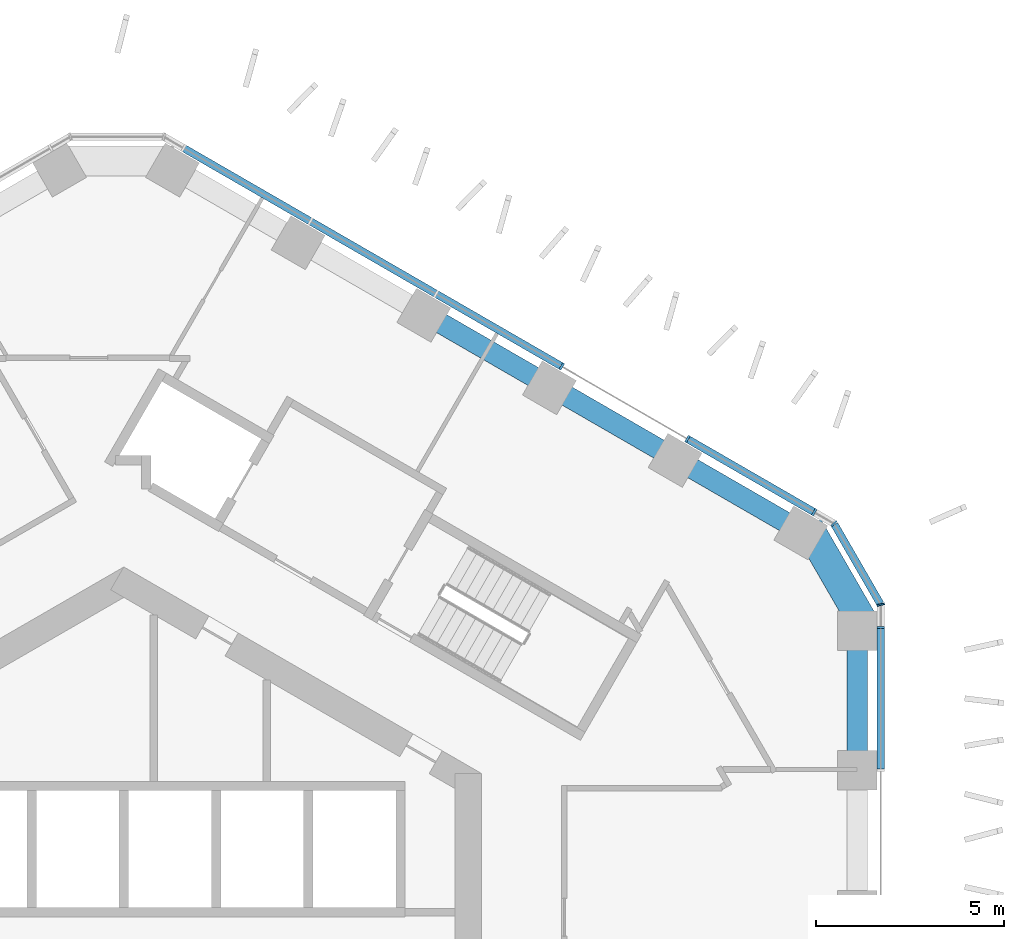
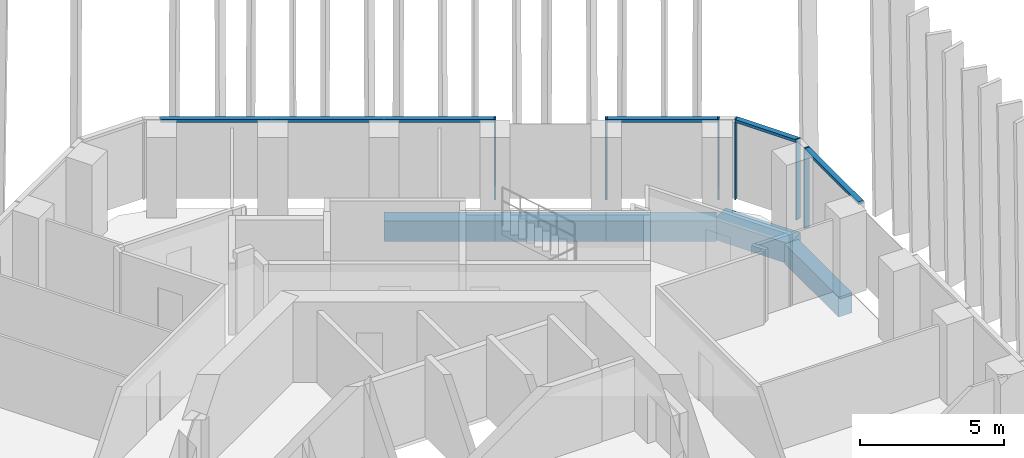
# One storey, part 6 of 19: 10 members, 5 beams, 3 elements without a shape of their own.
"""IFC4 building model written with IfcOpenShell, lengths in metres."""

from ifc_helpers import new_model, si_unit, direction, frame, origin, origin_2d, place, context, subcontext, project, spatial, rectangle, extrude, material, layer, layer_set, material_profile, profile_set, type_object, element, aggregate, save


model = new_model("IFC4")

# Units and contexts
model_context = context("Model", 3, precision=1e-05, world=origin(), true_north=direction((0.0, 1.0)))
body_context = subcontext(model_context, "Body", "Model", "MODEL_VIEW")
ifc_project = project(units=[si_unit("LENGTHUNIT", "METRE"), si_unit("AREAUNIT", "SQUARE_METRE"), si_unit("VOLUMEUNIT", "CUBIC_METRE"), si_unit("PLANEANGLEUNIT", "RADIAN"), si_unit("MASSUNIT", "GRAM", prefix="KILO")], contexts=[model_context])

# Site, building, storey
site_placement = place(None, origin())
site = spatial("IfcSite", under=ifc_project, at=site_placement, CompositionType="ELEMENT")
building_placement = place(site_placement, origin())
building = spatial("IfcBuilding", under=site, at=building_placement, Name="Ayvan Gate Tower", CompositionType="ELEMENT")
storey_placement = place(building_placement, frame((0.0, 0.0, 93.300048828125)))
storey = spatial("IfcBuildingStorey", under=building, at=storey_placement, Name="L24", CompositionType="ELEMENT", Elevation=93.300048828125)

# Beams
ifc_material_1 = material(Name="Concrete C40/50", Category="concrete")
ifc_material_profile_1 = material_profile(ifc_material_1, rectangle(XDim=0.800048828125, YDim=0.85009765625, at=origin_2d()), Name="RC 800x850")
ifc_profile_set_1 = profile_set([ifc_material_profile_1], Name="Concrete C40/50")
beam_type_1 = type_object("IfcBeamType", Name="Corner spandrel beam RC 800x850 C40/50", PredefinedType="BEAM", material=ifc_profile_set_1)
beam_1_placement = place(storey_placement, frame((19.676025390625, 9.43798828125, -0.775146484375), z_axis=(-0.499990139034, 0.866031096941, 0.0), x_axis=(-0.866031096941, -0.499990139034, 0.0)))
element("IfcBeam", 1, at=beam_1_placement, inside=storey, type_object=beam_type_1, Name="SB-L24-6", PredefinedType="BEAM", context=body_context, shape_type="SweptSolid", body=[
    extrude(rectangle(XDim=0.800048828125, YDim=0.85009765625, at=origin_2d()), origin(), (0.0, 0.0, 1.0), 3.0),
])
ifc_material_profile_2 = material_profile(ifc_material_1, rectangle(XDim=0.550048828125, YDim=0.85009765625, at=origin_2d()), Name="RC 550x850")
ifc_profile_set_2 = profile_set([ifc_material_profile_2], Name="Concrete C40/50")
beam_type_2 = type_object("IfcBeamType", Name="Spandrel beam RC 550x850 C40/50", PredefinedType="BEAM", material=ifc_profile_set_2)
beam_2_placement = place(storey_placement, frame((19.485595703125, 5.5966796875, -0.775146484375), z_axis=(0.0, 1.0, 0.0), x_axis=(-1.0, 0.0, 0.0)))
element("IfcBeam", 2, at=beam_2_placement, inside=storey, type_object=beam_type_2, Name="SB-L24-5", PredefinedType="BEAM", context=body_context, shape_type="SweptSolid", body=[
    extrude(rectangle(XDim=0.550048828125, YDim=0.85009765625, at=origin_2d()), origin(), (0.0, 0.0, 1.0), 3.731201171875),
])
for number, where, z_axis, x_axis, name in (
    (3, (17.985595703125, 11.926025390625, -0.775146484375), (-0.866026989333, 0.499997253739, 0.0), (-0.499997253739, -0.866026989333, 0.0), "SB-L24-7"),
    (4, (14.655517578125, 13.8486328125, -0.775146484375), (-0.866026989333, 0.499997253739, 0.0), (-0.499997253739, -0.866026989333, 0.0), "SB-L24-8"),
):
    element("IfcBeam", number, at=place(storey_placement, frame(where, z_axis=z_axis, x_axis=x_axis)), inside=storey, type_object=beam_type_2, Name=name, PredefinedType="BEAM", context=body_context, shape_type="SweptSolid", body=[
        extrude(rectangle(XDim=0.550048828125, YDim=0.85009765625, at=origin_2d()), origin(), (0.0, 0.0, 1.0), 3.84521484375),
    ])
beam_3_placement = place(storey_placement, frame((11.325439453125, 15.771240234375, -0.775146484375), z_axis=(-0.86601111527, 0.500024747617, 0.0), x_axis=(-0.500024747617, -0.86601111527, 0.0)))
element("IfcBeam", 5, at=beam_3_placement, inside=storey, type_object=beam_type_2, Name="SB-L24-9", PredefinedType="BEAM", context=body_context, shape_type="SweptSolid", body=[
    extrude(rectangle(XDim=0.550048828125, YDim=0.85009765625, at=origin_2d()), origin(), (0.0, 0.0, 1.0), 3.844970703125),
])

# Curtain wall, member
ifc_material_2 = material(Name="Bronze anodised aluminium", Category="aluminium")
ifc_layer_1 = layer(ifc_material_2, 0.199951171875)
ifc_layer_set_1 = layer_set([ifc_layer_1], Name="Bronze anodised aluminium")
curtain_wall_type_1 = type_object("IfcCurtainWallType", Name="Stick curtain wall CW-1", PredefinedType="NOTDEFINED", material=ifc_layer_set_1)
curtain_wall_1_placement = place(storey_placement, origin())
curtain_wall_1 = element("IfcCurtainWall", 6, at=curtain_wall_1_placement, inside=storey, type_object=curtain_wall_type_1, Name="Stick curtain wall CW-1 L24", PredefinedType="NOTDEFINED")
ifc_material_profile_3 = material_profile(ifc_material_2, rectangle(XDim=0.199951171875, YDim=0.06005859375, at=origin_2d()), Name="Stick curtain wall CW-1 mullion 200 x 60")
ifc_profile_set_3 = profile_set([ifc_material_profile_3], Name="Bronze anodised aluminium")
member_type_1 = type_object("IfcMemberType", Name="Stick curtain wall CW-1 mullion 200 x 60", PredefinedType="MULLION", material=ifc_profile_set_3)
member_1_placement = place(storey_placement, frame((20.110595703125, 9.36474609375, 0.0), z_axis=(0.0, 0.0, 1.0), x_axis=(1.0, 0.0, 0.0)))
member_1 = element("IfcMember", 7, at=member_1_placement, type_object=member_type_1, Name="CW-1 mullion 6", PredefinedType="MULLION", context=body_context, shape_type="SweptSolid", body=[
    extrude(rectangle(XDim=0.199951171875, YDim=0.06005859375, at=origin_2d()), origin(), (0.0, 0.0, 1.0), 3.39990234375),
])

# Curtain wall, members
curtain_wall_2_placement = place(storey_placement, origin())
curtain_wall_2 = element("IfcCurtainWall", 8, at=curtain_wall_2_placement, inside=storey, type_object=curtain_wall_type_1, Name="Stick curtain wall CW-1 L24", PredefinedType="NOTDEFINED")
member_2_placement = place(storey_placement, frame((18.34326171875, 12.425537109375, 0.0), z_axis=(0.0, 0.0, 1.0), x_axis=(0.5, 0.866025403784, 0.0)))
member_2 = element("IfcMember", 9, at=member_2_placement, type_object=member_type_1, Name="CW-1 mullion 1", PredefinedType="MULLION", context=body_context, shape_type="SweptSolid", body=[
    extrude(rectangle(XDim=0.199951171875, YDim=0.06005859375, at=origin_2d()), origin(), (0.0, 0.0, 1.0), 3.39990234375),
])
member_3_placement = place(storey_placement, frame((14.974609375, 14.37060546875, 0.0), z_axis=(0.0, 0.0, 1.0), x_axis=(0.5, 0.866025403784, 0.0)))
member_3 = element("IfcMember", 10, at=member_3_placement, type_object=member_type_1, Name="CW-1 mullion 2", PredefinedType="MULLION", context=body_context, shape_type="SweptSolid", body=[
    extrude(rectangle(XDim=0.199951171875, YDim=0.06005859375, at=origin_2d()), origin(), (0.0, 0.0, 1.0), 3.39990234375),
])
member_4_placement = place(storey_placement, frame((11.635986328125, 16.298095703125, 0.0), z_axis=(0.0, 0.0, 1.0), x_axis=(0.5, 0.866025403784, 0.0)))
member_4 = element("IfcMember", 11, at=member_4_placement, type_object=member_type_1, Name="CW-1 mullion 3", PredefinedType="MULLION", context=body_context, shape_type="SweptSolid", body=[
    extrude(rectangle(XDim=0.199951171875, YDim=0.06005859375, at=origin_2d()), origin(), (0.0, 0.0, 1.0), 3.39990234375),
])

# Member
ifc_material_profile_4 = material_profile(ifc_material_2, rectangle(XDim=0.199951171875, YDim=0.1201171875, at=origin_2d()), Name="Stick curtain wall CW-1 transom 200 x 120")
ifc_profile_set_4 = profile_set([ifc_material_profile_4], Name="Bronze anodised aluminium")
member_type_2 = type_object("IfcMemberType", Name="Stick curtain wall CW-1 transom 200 x 120", PredefinedType="USERDEFINED", material=ifc_profile_set_4)
member_5_placement = place(storey_placement, frame((20.110595703125, 5.597412109375, 3.33984375), z_axis=(0.0, 1.0, 0.0), x_axis=(-1.0, 0.0, 0.0)))
member_5 = element("IfcMember", 12, at=member_5_placement, type_object=member_type_2, Name="CW-1 transom 2", ObjectType="TRANSOM", PredefinedType="USERDEFINED", context=body_context, shape_type="SweptSolid", body=[
    extrude(rectangle(XDim=0.199951171875, YDim=0.1201171875, at=origin_2d()), origin(), (0.0, 0.0, 1.0), 3.767333984375),
])

aggregate(curtain_wall_1, [member_1, member_5])

member_6_placement = place(storey_placement, frame((18.34326171875, 12.425537109375, 3.33984375), z_axis=(-0.866027591713, 0.499996210378, 0.0), x_axis=(-0.499996210378, -0.866027591713, 0.0)))
member_6 = element("IfcMember", 13, at=member_6_placement, type_object=member_type_2, Name="CW-1 transom 1", ObjectType="TRANSOM", PredefinedType="USERDEFINED", context=body_context, shape_type="SweptSolid", body=[
    extrude(rectangle(XDim=0.199951171875, YDim=0.1201171875, at=origin_2d()), origin(), (0.0, 0.0, 1.0), 3.85986328125),
])

member_7_placement = place(storey_placement, frame((11.610107421875, 16.31298828125, 3.33984375), z_axis=(-0.866024665123, 0.500001279396, 0.0), x_axis=(-0.500001279396, -0.866024665123, 0.0)))
member_7 = element("IfcMember", 14, at=member_7_placement, type_object=member_type_2, Name="CW-1 transom 2", ObjectType="TRANSOM", PredefinedType="USERDEFINED", context=body_context, shape_type="SweptSolid", body=[
    extrude(rectangle(XDim=0.199951171875, YDim=0.1201171875, at=origin_2d()), origin(), (0.0, 0.0, 1.0), 11.5712890625),
])

aggregate(curtain_wall_2, [member_2, member_3, member_4, member_6, member_7])

# Curtain wall, members
ifc_layer_2 = layer(ifc_material_2, 0.199951171875)
ifc_layer_set_2 = layer_set([ifc_layer_2], Name="Bronze anodised aluminium")
curtain_wall_type_2 = type_object("IfcCurtainWallType", Name="Stick curtain wall CW-6", PredefinedType="NOTDEFINED", material=ifc_layer_set_2)
curtain_wall_3_placement = place(storey_placement, origin())
curtain_wall_3 = element("IfcCurtainWall", 15, at=curtain_wall_3_placement, inside=storey, type_object=curtain_wall_type_2, Name="Stick curtain wall CW-6 L24", PredefinedType="NOTDEFINED")
ifc_material_profile_5 = material_profile(ifc_material_2, rectangle(XDim=0.199951171875, YDim=0.050048828125, at=origin_2d()), Name="Stick curtain wall CW-6 mullion 200 x 50")
ifc_profile_set_5 = profile_set([ifc_material_profile_5], Name="Bronze anodised aluminium")
member_type_3 = type_object("IfcMemberType", Name="Stick curtain wall CW-6 mullion 200 x 50", PredefinedType="MULLION", material=ifc_profile_set_5)
member_8_placement = place(storey_placement, frame((20.110595703125, 9.9697265625, 0.0), z_axis=(0.0, 0.0, 1.0), x_axis=(0.965925826289, 0.258819045103, 0.0)))
member_8 = element("IfcMember", 16, at=member_8_placement, type_object=member_type_3, Name="CW-6 mullion 2", PredefinedType="MULLION", context=body_context, shape_type="SweptSolid", body=[
    extrude(rectangle(XDim=0.199951171875, YDim=0.050048828125, at=origin_2d()), origin(), (0.0, 0.0, 1.0), 3.39990234375),
])
member_9_placement = place(storey_placement, frame((18.8671875, 12.123046875, 0.0), z_axis=(0.0, 0.0, 1.0), x_axis=(0.707106781187, 0.707106781187, 0.0)))
member_9 = element("IfcMember", 17, at=member_9_placement, type_object=member_type_3, Name="CW-6 mullion 3", PredefinedType="MULLION", context=body_context, shape_type="SweptSolid", body=[
    extrude(rectangle(XDim=0.199951171875, YDim=0.050048828125, at=origin_2d()), origin(), (0.0, 0.0, 1.0), 3.39990234375),
])
ifc_material_profile_6 = material_profile(ifc_material_2, rectangle(XDim=0.199951171875, YDim=0.1201171875, at=origin_2d()), Name="Stick curtain wall CW-6 transom 200 x 120")
ifc_profile_set_6 = profile_set([ifc_material_profile_6], Name="Bronze anodised aluminium")
member_type_4 = type_object("IfcMemberType", Name="Stick curtain wall CW-6 transom 200 x 120", PredefinedType="USERDEFINED", material=ifc_profile_set_6)
member_10_placement = place(storey_placement, frame((20.09814453125, 9.9912109375, 3.33984375), z_axis=(-0.499997116, 0.866027068856, 0.0), x_axis=(-0.866027068856, -0.499997116, 0.0)))
member_10 = element("IfcMember", 18, at=member_10_placement, type_object=member_type_4, Name="CW-6 transom 2", ObjectType="TRANSOM", PredefinedType="USERDEFINED", context=body_context, shape_type="SweptSolid", body=[
    extrude(rectangle(XDim=0.199951171875, YDim=0.1201171875, at=origin_2d()), origin(), (0.0, 0.0, 1.0), 2.4365234375),
])
aggregate(curtain_wall_3, [member_8, member_9, member_10])

save(model, "model.ifc")
